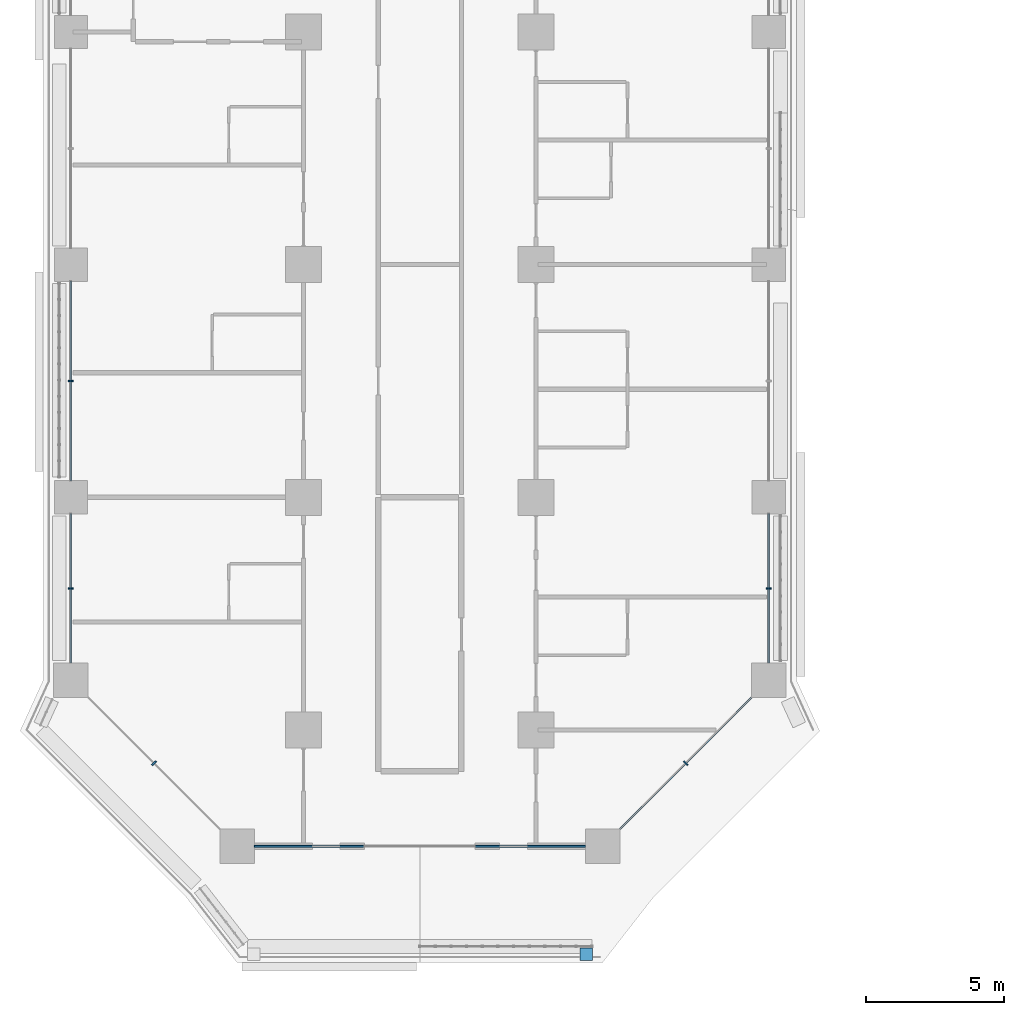
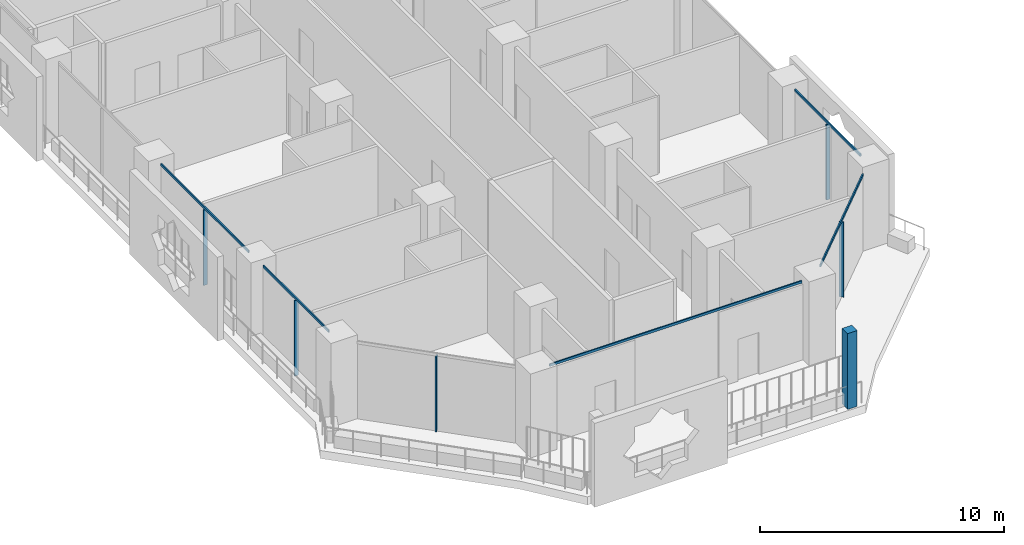
# One storey, part 2 of 28: 11 members, 6 elements without a shape of their own.
"""IFC4 building model written with IfcOpenShell, lengths in metres."""

from ifc_helpers import new_model, si_unit, direction, frame, origin, origin_2d, place, context, subcontext, project, spatial, rectangle, extrude, material, layer, layer_set, material_profile, profile_set, type_object, element, aggregate, save


model = new_model("IFC4")

# Units and contexts
model_context = context("Model", 3, precision=1e-05, world=origin(), true_north=direction((0.0, 1.0)))
body_context = subcontext(model_context, "Body", "Model", "MODEL_VIEW")
ifc_project = project(units=[si_unit("LENGTHUNIT", "METRE"), si_unit("AREAUNIT", "SQUARE_METRE"), si_unit("VOLUMEUNIT", "CUBIC_METRE"), si_unit("PLANEANGLEUNIT", "RADIAN"), si_unit("MASSUNIT", "GRAM", prefix="KILO")], contexts=[model_context])

# Site, building, storey
site_placement = place(None, origin())
site = spatial("IfcSite", under=ifc_project, at=site_placement, CompositionType="ELEMENT")
building_placement = place(site_placement, origin())
building = spatial("IfcBuilding", under=site, at=building_placement, Name="Kawkab Arch Medical Tower", CompositionType="ELEMENT")
storey_placement = place(building_placement, frame((0.0, 0.0, 81.199951171875)))
storey = spatial("IfcBuildingStorey", under=building, at=storey_placement, Name="L18", CompositionType="ELEMENT", Elevation=81.199951171875)

# Curtain wall, members
ifc_material_1 = material(Name="Bronze anodised aluminium curtain wall frame", Category="aluminium")
ifc_layer_1 = layer(ifc_material_1, 0.159912109375)
ifc_layer_set_1 = layer_set([ifc_layer_1], Name="Bronze anodised aluminium curtain wall frame")
curtain_wall_type_1 = type_object("IfcCurtainWallType", Name="CW1 ward curtain wall", PredefinedType="NOTDEFINED", material=ifc_layer_set_1)
placement = place(storey_placement, origin())
curtain_wall_1 = element("IfcCurtainWall", 1, at=placement, inside=storey, type_object=curtain_wall_type_1, Name="CW1 Ward curtain wall R01", PredefinedType="NOTDEFINED")
ifc_material_2 = material(Name="Bronze anodised aluminium curtain wall frame", Category="aluminium")
ifc_material_profile_1 = material_profile(ifc_material_2, rectangle(XDim=0.179931640625, YDim=0.06005859375, at=origin_2d()), Name="AL 60x180")
ifc_profile_set_1 = profile_set([ifc_material_profile_1], Name="Bronze anodised aluminium curtain wall frame")
member_type_1 = type_object("IfcMemberType", Name="CW1 mullion 60 x 180", PredefinedType="MULLION", material=ifc_profile_set_1)
member_1_placement = place(storey_placement, frame((0.0, -54.60009765625, 0.0), z_axis=(0.0, 0.0, 1.0), x_axis=(1.0, 0.0, 0.0)))
member_1 = element("IfcMember", 2, at=member_1_placement, type_object=member_type_1, Name="CW1 mullion 6.1", PredefinedType="MULLION", context=body_context, shape_type="SweptSolid", body=[
    extrude(rectangle(XDim=0.179931640625, YDim=0.06005859375, at=origin_2d()), origin(), (0.0, 0.0, 1.0), 3.780029296875),
])
member_2_placement = place(storey_placement, frame((0.0, -62.08740234375, 0.0), z_axis=(0.0, 0.0, 1.0), x_axis=(1.0, 0.0, 0.0)))
member_2 = element("IfcMember", 3, at=member_2_placement, type_object=member_type_1, Name="CW1 mullion 7.1", PredefinedType="MULLION", context=body_context, shape_type="SweptSolid", body=[
    extrude(rectangle(XDim=0.179931640625, YDim=0.06005859375, at=origin_2d()), origin(), (0.0, 0.0, 1.0), 3.780029296875),
])

# Curtain wall, member
curtain_wall_2 = element("IfcCurtainWall", 4, at=placement, inside=storey, type_object=curtain_wall_type_1, Name="CW1 Ward curtain wall R05", PredefinedType="NOTDEFINED")
member_3_placement = place(storey_placement, frame((25.199951171875, -62.08740234375, 0.0), z_axis=(0.0, 0.0, 1.0), x_axis=(-1.0, 0.0, 0.0)))
member_3 = element("IfcMember", 5, at=member_3_placement, type_object=member_type_1, Name="CW1 mullion 1.1", PredefinedType="MULLION", context=body_context, shape_type="SweptSolid", body=[
    extrude(rectangle(XDim=0.179931640625, YDim=0.06005859375, at=origin_2d()), origin(), (0.0, 0.0, 1.0), 3.780029296875),
])

# Member
ifc_material_3 = material(Name="Bronze anodised aluminium curtain wall frame", Category="aluminium")
ifc_material_profile_2 = material_profile(ifc_material_3, rectangle(XDim=0.06005859375, YDim=0.1201171875, at=origin_2d()), Name="AL 60x120")
ifc_profile_set_2 = profile_set([ifc_material_profile_2], Name="Bronze anodised aluminium curtain wall frame")
member_type_2 = type_object("IfcMemberType", Name="CW1 transom 120 x 60", PredefinedType="USERDEFINED", material=ifc_profile_set_2)
member_4_placement = place(storey_placement, frame((0.0, -51.0, 3.840087890625), z_axis=(0.0, -1.0, 0.0), x_axis=(1.0, 0.0, 0.0)))
member_4 = element("IfcMember", 6, at=member_4_placement, type_object=member_type_2, Name="CW1 transom 6", ObjectType="TRANSOM", PredefinedType="USERDEFINED", context=body_context, shape_type="SweptSolid", body=[
    extrude(rectangle(XDim=0.06005859375, YDim=0.1201171875, at=origin_2d()), origin(), (0.0, 0.0, 1.0), 7.199951171875),
])

member_5_placement = place(storey_placement, frame((0.0, -59.39990234375, 3.840087890625), z_axis=(0.0, -1.0, 0.0), x_axis=(1.0, 0.0, 0.0)))
member_5 = element("IfcMember", 7, at=member_5_placement, type_object=member_type_2, Name="CW1 transom 7", ObjectType="TRANSOM", PredefinedType="USERDEFINED", context=body_context, shape_type="SweptSolid", body=[
    extrude(rectangle(XDim=0.06005859375, YDim=0.1201171875, at=origin_2d()), origin(), (0.0, 0.0, 1.0), 5.375),
])

aggregate(curtain_wall_1, [member_4, member_1, member_5, member_2])

# Curtain wall, member
curtain_wall_3 = element("IfcCurtainWall", 8, at=placement, inside=storey, type_object=curtain_wall_type_1, Name="CW1 Ward curtain wall R03", PredefinedType="NOTDEFINED")
member_6_placement = place(storey_placement, frame((6.625, -71.39990234375, 3.840087890625), z_axis=(1.0, 0.0, 0.0), x_axis=(0.0, 1.0, 0.0)))
member_6 = element("IfcMember", 9, at=member_6_placement, type_object=member_type_2, Name="CW1 transom 1", ObjectType="TRANSOM", PredefinedType="USERDEFINED", context=body_context, shape_type="SweptSolid", body=[
    extrude(rectangle(XDim=0.06005859375, YDim=0.1201171875, at=origin_2d()), origin(), (0.0, 0.0, 1.0), 11.949951171875),
])
aggregate(curtain_wall_3, [member_6])

# Member
member_7_placement = place(storey_placement, frame((25.199951171875, -64.77490234375, 3.840087890625), z_axis=(0.0, 1.0, 0.0), x_axis=(-1.0, 0.0, 0.0)))
member_7 = element("IfcMember", 10, at=member_7_placement, type_object=member_type_2, Name="CW1 transom 1", ObjectType="TRANSOM", PredefinedType="USERDEFINED", context=body_context, shape_type="SweptSolid", body=[
    extrude(rectangle(XDim=0.06005859375, YDim=0.1201171875, at=origin_2d()), origin(), (0.0, 0.0, 1.0), 5.375),
])

aggregate(curtain_wall_2, [member_7, member_3])

# Curtain wall, member
ifc_material_4 = material(Name="Bronze anodised aluminium curtain wall frame", Category="aluminium")
ifc_layer_2 = layer(ifc_material_4, 0.159912109375)
ifc_layer_set_2 = layer_set([ifc_layer_2], Name="Bronze anodised aluminium curtain wall frame")
curtain_wall_type_2 = type_object("IfcCurtainWallType", Name="CW2 chamfer curtain wall", PredefinedType="NOTDEFINED", material=ifc_layer_set_2)
curtain_wall_4 = element("IfcCurtainWall", 11, at=placement, inside=storey, type_object=curtain_wall_type_2, Name="CW2 Chamfer curtain wall R02", PredefinedType="NOTDEFINED")
ifc_material_5 = material(Name="Bronze anodised aluminium curtain wall frame", Category="aluminium")
ifc_material_profile_3 = material_profile(ifc_material_5, rectangle(XDim=0.199951171875, YDim=0.06005859375, at=origin_2d()), Name="AL 60x200")
ifc_profile_set_3 = profile_set([ifc_material_profile_3], Name="Bronze anodised aluminium curtain wall frame")
member_type_3 = type_object("IfcMemberType", Name="CW2 mullion 60 x 200", PredefinedType="MULLION", material=ifc_profile_set_3)
member_8_placement = place(storey_placement, frame((3.0, -68.39990234375, 0.0), z_axis=(0.0, 0.0, 1.0), x_axis=(0.707106781187, 0.707106781187, 0.0)))
member_8 = element("IfcMember", 12, at=member_8_placement, type_object=member_type_3, Name="CW2 mullion 1.1", PredefinedType="MULLION", context=body_context, shape_type="SweptSolid", body=[
    extrude(rectangle(XDim=0.199951171875, YDim=0.06005859375, at=origin_2d()), origin(), (0.0, 0.0, 1.0), 3.760009765625),
])
aggregate(curtain_wall_4, [member_8])

# Curtain wall, members
curtain_wall_5 = element("IfcCurtainWall", 13, at=placement, inside=storey, type_object=curtain_wall_type_2, Name="CW2 Chamfer curtain wall R04", PredefinedType="NOTDEFINED")
member_9_placement = place(storey_placement, frame((22.199951171875, -68.39990234375, 0.0), z_axis=(0.0, 0.0, 1.0), x_axis=(-0.707106781187, 0.707106781187, 0.0)))
member_9 = element("IfcMember", 14, at=member_9_placement, type_object=member_type_3, Name="CW2 mullion 1.1", PredefinedType="MULLION", context=body_context, shape_type="SweptSolid", body=[
    extrude(rectangle(XDim=0.199951171875, YDim=0.06005859375, at=origin_2d()), origin(), (0.0, 0.0, 1.0), 3.760009765625),
])
ifc_material_6 = material(Name="Bronze anodised aluminium curtain wall frame", Category="aluminium")
ifc_material_profile_4 = material_profile(ifc_material_6, rectangle(XDim=0.06005859375, YDim=0.139892578125, at=origin_2d()), Name="AL 60x140")
ifc_profile_set_4 = profile_set([ifc_material_profile_4], Name="Bronze anodised aluminium curtain wall frame")
member_type_4 = type_object("IfcMemberType", Name="CW2 transom 140 x 60", PredefinedType="USERDEFINED", material=ifc_profile_set_4)
member_10_placement = place(storey_placement, frame((19.824951171875, -70.77490234375, 3.830078125), z_axis=(0.707106781187, 0.707106781187, 0.0), x_axis=(-0.707106781187, 0.707106781187, 0.0)))
member_10 = element("IfcMember", 15, at=member_10_placement, type_object=member_type_4, Name="CW2 transom 1", ObjectType="TRANSOM", PredefinedType="USERDEFINED", context=body_context, shape_type="SweptSolid", body=[
    extrude(rectangle(XDim=0.06005859375, YDim=0.139892578125, at=origin_2d()), origin(), (0.0, 0.0, 1.0), 6.717529296875),
])
aggregate(curtain_wall_5, [member_10, member_9])

# Curtain wall, member
ifc_material_7 = material(Name="Bronze anodised aluminium climber frame, planted", Category="aluminium")
ifc_layer_3 = layer(ifc_material_7, 0.449951171875)
ifc_layer_set_3 = layer_set([ifc_layer_3], Name="Bronze anodised aluminium climber frame, planted")
curtain_wall_type_3 = type_object("IfcCurtainWallType", Name="Planted climber frame", PredefinedType="NOTDEFINED", material=ifc_layer_set_3)
curtain_wall_6 = element("IfcCurtainWall", 16, at=placement, inside=storey, type_object=curtain_wall_type_3, Name="Planted climber frame L18", PredefinedType="NOTDEFINED")
ifc_material_8 = material(Name="Bronze anodised aluminium climber frame, planted", Category="aluminium")
ifc_material_profile_5 = material_profile(ifc_material_8, rectangle(XDim=0.449951171875, YDim=0.449951171875, at=origin_2d()), Name="Post 450x450")
ifc_profile_set_5 = profile_set([ifc_material_profile_5], Name="Bronze anodised aluminium climber frame, planted")
member_type_5 = type_object("IfcMemberType", Name="Planted climber post 450 x 450", PredefinedType="MULLION", material=ifc_profile_set_5)
member_11_placement = place(storey_placement, frame((18.60302734375, -75.300048828125, 0.0), z_axis=(0.0, 0.0, 1.0), x_axis=(1.0, 0.0, 0.0)))
member_11 = element("IfcMember", 17, at=member_11_placement, type_object=member_type_5, Name="Planted climber post L18.LOG-01-01.1", PredefinedType="MULLION", context=body_context, shape_type="SweptSolid", body=[
    extrude(rectangle(XDim=0.449951171875, YDim=0.449951171875, at=origin_2d()), origin(), (0.0, 0.0, 1.0), 3.800048828125),
])
aggregate(curtain_wall_6, [member_11])

save(model, "model.ifc")
